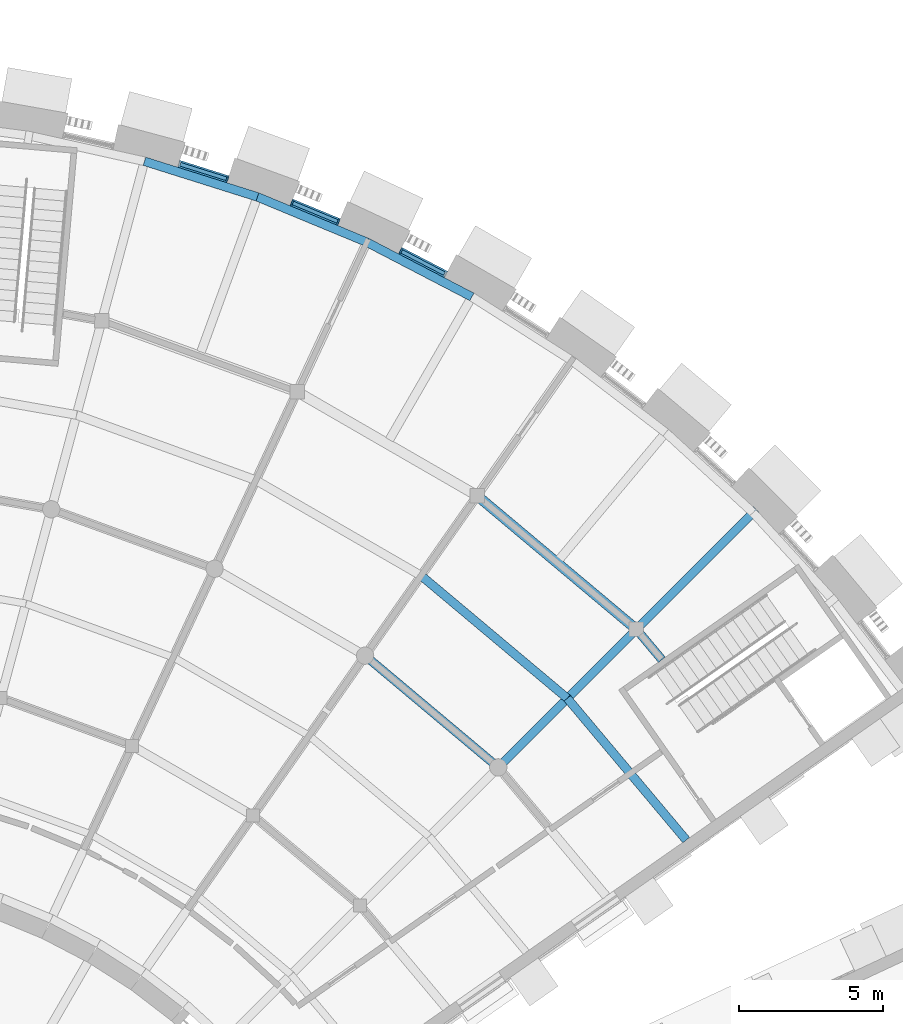
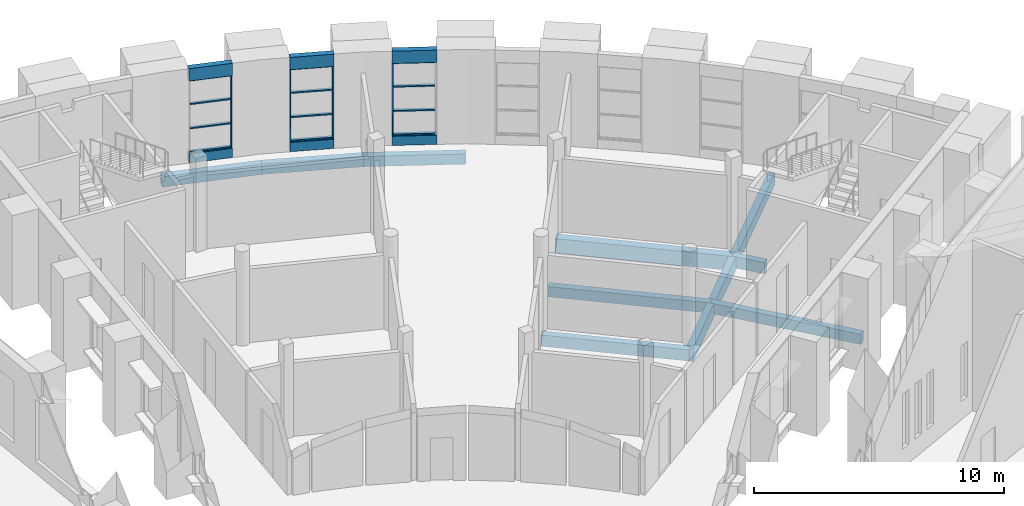
# One storey, part 14 of 50: 16 beams, 16 members, 3 elements without a shape of their own.
"""IFC4 building model written with IfcOpenShell, lengths in metres."""

from ifc_helpers import new_model, si_unit, direction, frame, origin, origin_2d, place, context, subcontext, project, spatial, rectangle, extrude, material, layer, layer_set, material_profile, profile_set, type_object, element, aggregate, save


model = new_model("IFC4")

# Units and contexts
model_context = context("Model", 3, precision=1e-05, world=origin(), true_north=direction((0.0, 1.0)))
body_context = subcontext(model_context, "Body", "Model", "MODEL_VIEW")
ifc_project = project(units=[si_unit("LENGTHUNIT", "METRE"), si_unit("AREAUNIT", "SQUARE_METRE"), si_unit("VOLUMEUNIT", "CUBIC_METRE"), si_unit("PLANEANGLEUNIT", "RADIAN"), si_unit("MASSUNIT", "GRAM", prefix="KILO")], contexts=[model_context])

# Site, building, storey
site_placement = place(None, origin())
site = spatial("IfcSite", under=ifc_project, at=site_placement, CompositionType="ELEMENT")
building_placement = place(site_placement, origin())
building = spatial("IfcBuilding", under=site, at=building_placement, Name="Volute Hill Aquarium", CompositionType="ELEMENT")
storey_placement = place(building_placement, frame((0.0, 0.0, 9.199951171875)))
storey = spatial("IfcBuildingStorey", under=building, at=storey_placement, Name="L03", CompositionType="ELEMENT", Elevation=9.199951171875)

# Beams
ifc_material_1 = material(Name="Concrete C35/45", Category="concrete")
ifc_material_profile_1 = material_profile(ifc_material_1, rectangle(XDim=0.300048828125, YDim=0.550048828125, at=origin_2d()), Name="RC beam 300x550")
ifc_profile_set_1 = profile_set([ifc_material_profile_1], Name="Concrete C35/45")
beam_type_1 = type_object("IfcBeamType", Name="Beam 300x550 C35/45", PredefinedType="BEAM", material=ifc_profile_set_1)
beam_1_placement = place(storey_placement, frame((29.194580078125, 29.194580078125, -0.56494140625), z_axis=(0.707106781187, 0.707106781187, 0.0), x_axis=(-0.707106781187, 0.707106781187, 0.0)))
element("IfcBeam", 1, at=beam_1_placement, inside=storey, type_object=beam_type_1, Name="bm/S5/L03/rad1.4", PredefinedType="BEAM", context=body_context, shape_type="SweptSolid", body=[
    extrude(rectangle(XDim=0.300048828125, YDim=0.550048828125, at=origin_2d()), origin(), (0.0, 0.0, 1.0), 5.862548828125),
])
beam_2_placement = place(storey_placement, frame((24.412841796875, 24.412841796875, -0.56494140625), z_axis=(-0.766038816654, 0.642794314986, 0.0), x_axis=(-0.642794314986, -0.766038816654, 0.0)))
element("IfcBeam", 2, at=beam_2_placement, inside=storey, type_object=beam_type_1, Name="bm/S5/L03/ring2.23", PredefinedType="BEAM", context=body_context, shape_type="SweptSolid", body=[
    extrude(rectangle(XDim=0.300048828125, YDim=0.550048828125, at=origin_2d()), origin(), (0.0, 0.0, 1.0), 6.01806640625),
])
beam_3_placement = place(storey_placement, frame((30.078369140625, 28.1416015625, -0.56494140625), z_axis=(-0.642887994538, 0.765960199017, 0.0), x_axis=(-0.765960199017, -0.642887994538, 0.0)))
element("IfcBeam", 3, at=beam_3_placement, inside=storey, type_object=beam_type_1, Name="bm/S5/L03/ring3.27", PredefinedType="BEAM", context=body_context, shape_type="SweptSolid", body=[
    extrude(rectangle(XDim=0.300048828125, YDim=0.550048828125, at=origin_2d()), origin(), (0.0, 0.0, 1.0), 1.374755859375),
])
ifc_material_2 = material(Name="Concrete C35/45", Category="concrete")
ifc_material_profile_2 = material_profile(ifc_material_2, rectangle(XDim=0.300048828125, YDim=0.64990234375, at=origin_2d()), Name="RC beam 300x650")
ifc_profile_set_2 = profile_set([ifc_material_profile_2], Name="Concrete C35/45")
beam_type_2 = type_object("IfcBeamType", Name="Beam 300x650 C35/45", PredefinedType="BEAM", material=ifc_profile_set_2)
beam_4_placement = place(storey_placement, frame((24.412841796875, 24.412841796875, -0.614990234375), z_axis=(0.707106781187, 0.707106781187, 0.0), x_axis=(-0.707106781187, 0.707106781187, 0.0)))
element("IfcBeam", 4, at=beam_4_placement, inside=storey, type_object=beam_type_2, Name="bm/S5/L03/rad1.3", PredefinedType="BEAM", context=body_context, shape_type="SweptSolid", body=[
    extrude(rectangle(XDim=0.300048828125, YDim=0.64990234375, at=origin_2d()), origin(), (0.0, 0.0, 1.0), 6.762451171875),
])
ifc_material_3 = material(Name="Concrete C35/45", Category="concrete")
ifc_material_profile_3 = material_profile(ifc_material_3, rectangle(XDim=0.35009765625, YDim=0.699951171875, at=origin_2d()), Name="RC beam 350x700")
ifc_profile_set_3 = profile_set([ifc_material_profile_3], Name="Concrete C35/45")
beam_type_3 = type_object("IfcBeamType", Name="Beam 350x700 C35/45", PredefinedType="BEAM", material=ifc_profile_set_3)
beam_5_placement = place(storey_placement, frame((29.194580078125, 29.194580078125, -0.639892578125), z_axis=(-0.766036890911, 0.64279660995, 0.0), x_axis=(-0.64279660995, -0.766036890911, 0.0)))
element("IfcBeam", 5, at=beam_5_placement, inside=storey, type_object=beam_type_3, Name="bm/S5/L03/ring3.28", PredefinedType="BEAM", context=body_context, shape_type="SweptSolid", body=[
    extrude(rectangle(XDim=0.35009765625, YDim=0.699951171875, at=origin_2d()), origin(), (0.0, 0.0, 1.0), 7.197021484375),
])

# Curtain wall, member
ifc_material_4 = material(Name="Aluminium", Category="aluminium")
ifc_layer = layer(ifc_material_4, 0.25)
ifc_layer_set = layer_set([ifc_layer], Name="Curtain wall niche S5 module 1786")
curtain_wall_type = type_object("IfcCurtainWallType", Name="Curtain wall niche S5 module 1786", PredefinedType="NOTDEFINED", material=ifc_layer_set)
curtain_wall_1_placement = place(storey_placement, origin())
curtain_wall_1 = element("IfcCurtainWall", 6, at=curtain_wall_1_placement, inside=storey, type_object=curtain_wall_type, Name="Curtain wall CW S5 L03 6", PredefinedType="NOTDEFINED")
ifc_material_5 = material(Name="Aluminium", Category="aluminium")
ifc_material_profile_4 = material_profile(ifc_material_5, rectangle(XDim=0.159912109375, YDim=0.06005859375, at=origin_2d()), Name="Curtain wall mullion S5 60x160")
ifc_profile_set_4 = profile_set([ifc_material_profile_4], Name="Aluminium")
member_type_1 = type_object("IfcMemberType", Name="Curtain wall mullion S5 60x160", PredefinedType="MULLION", material=ifc_profile_set_4)
member_1_placement = place(storey_placement, frame((21.04296875, 42.291748046875, 0.449951171875), z_axis=(0.0, 0.0, 1.0), x_axis=(-0.461755077763, -0.887007467928, 0.0)))
member_1 = element("IfcMember", 7, at=member_1_placement, type_object=member_type_1, Name="CW mullion 2", PredefinedType="MULLION", context=body_context, shape_type="SweptSolid", body=[
    extrude(rectangle(XDim=0.159912109375, YDim=0.06005859375, at=origin_2d()), origin(), (0.0, 0.0, 1.0), 3.550048828125),
])

# Curtain wall, members
curtain_wall_2_placement = place(storey_placement, origin())
curtain_wall_2 = element("IfcCurtainWall", 8, at=curtain_wall_2_placement, inside=storey, type_object=curtain_wall_type, Name="Curtain wall CW S5 L03 7", PredefinedType="NOTDEFINED")
member_2_placement = place(storey_placement, frame((18.87109375, 43.304443359375, 0.449951171875), z_axis=(0.0, 0.0, 1.0), x_axis=(-0.382686313983, -0.923878338901, 0.0)))
member_2 = element("IfcMember", 9, at=member_2_placement, type_object=member_type_1, Name="CW mullion 1", PredefinedType="MULLION", context=body_context, shape_type="SweptSolid", body=[
    extrude(rectangle(XDim=0.159912109375, YDim=0.06005859375, at=origin_2d()), origin(), (0.0, 0.0, 1.0), 3.550048828125),
])
member_3_placement = place(storey_placement, frame((17.27685546875, 43.96484375, 0.449951171875), z_axis=(0.0, 0.0, 1.0), x_axis=(-0.382686313983, -0.923878338901, 0.0)))
member_3 = element("IfcMember", 10, at=member_3_placement, type_object=member_type_1, Name="CW mullion 2", PredefinedType="MULLION", context=body_context, shape_type="SweptSolid", body=[
    extrude(rectangle(XDim=0.159912109375, YDim=0.06005859375, at=origin_2d()), origin(), (0.0, 0.0, 1.0), 3.550048828125),
])

# Curtain wall, member
curtain_wall_3_placement = place(storey_placement, origin())
curtain_wall_3 = element("IfcCurtainWall", 11, at=curtain_wall_3_placement, inside=storey, type_object=curtain_wall_type, Name="Curtain wall CW S5 L03 8", PredefinedType="NOTDEFINED")
member_4_placement = place(storey_placement, frame((15.025146484375, 44.784423828125, 0.449951171875), z_axis=(0.0, 0.0, 1.0), x_axis=(-0.300703569139, -0.953717653977, 0.0)))
member_4 = element("IfcMember", 12, at=member_4_placement, type_object=member_type_1, Name="CW mullion 1", PredefinedType="MULLION", context=body_context, shape_type="SweptSolid", body=[
    extrude(rectangle(XDim=0.159912109375, YDim=0.06005859375, at=origin_2d()), origin(), (0.0, 0.0, 1.0), 3.550048828125),
])

# Member
ifc_material_6 = material(Name="Aluminium", Category="aluminium")
ifc_material_profile_5 = material_profile(ifc_material_6, rectangle(XDim=0.1298828125, YDim=0.06005859375, at=origin_2d()), Name="Curtain wall transom S5 60x130")
ifc_profile_set_5 = profile_set([ifc_material_profile_5], Name="Aluminium")
member_type_2 = type_object("IfcMemberType", Name="Curtain wall transom S5 60x130", PredefinedType="USERDEFINED", material=ifc_profile_set_5)
member_5_placement = place(storey_placement, frame((22.546875, 41.5087890625, 0.47998046875), z_axis=(-0.887007904622, 0.461754238896, 0.0), x_axis=(-0.461754238896, -0.887007904622, 0.0)))
member_5 = element("IfcMember", 13, at=member_5_placement, type_object=member_type_2, Name="CW transom 1.1", ObjectType="TRANSOM", PredefinedType="USERDEFINED", context=body_context, shape_type="SweptSolid", body=[
    extrude(rectangle(XDim=0.1298828125, YDim=0.06005859375, at=origin_2d()), origin(), (0.0, 0.0, 1.0), 1.66552734375),
])

member_6_placement = place(storey_placement, frame((22.546875, 41.5087890625, 1.63330078125), z_axis=(-0.887007904622, 0.461754238896, 0.0), x_axis=(-0.461754238896, -0.887007904622, 0.0)))
member_6 = element("IfcMember", 14, at=member_6_placement, type_object=member_type_2, Name="CW transom 1.2", ObjectType="TRANSOM", PredefinedType="USERDEFINED", context=body_context, shape_type="SweptSolid", body=[
    extrude(rectangle(XDim=0.1298828125, YDim=0.06005859375, at=origin_2d()), origin(), (0.0, 0.0, 1.0), 1.66552734375),
])

member_7_placement = place(storey_placement, frame((22.546875, 41.5087890625, 2.816650390625), z_axis=(-0.887007904622, 0.461754238896, 0.0), x_axis=(-0.461754238896, -0.887007904622, 0.0)))
member_7 = element("IfcMember", 15, at=member_7_placement, type_object=member_type_2, Name="CW transom 1.3", ObjectType="TRANSOM", PredefinedType="USERDEFINED", context=body_context, shape_type="SweptSolid", body=[
    extrude(rectangle(XDim=0.1298828125, YDim=0.06005859375, at=origin_2d()), origin(), (0.0, 0.0, 1.0), 1.66552734375),
])

member_8_placement = place(storey_placement, frame((22.546875, 41.5087890625, 3.969970703125), z_axis=(-0.887007904622, 0.461754238896, 0.0), x_axis=(-0.461754238896, -0.887007904622, 0.0)))
member_8 = element("IfcMember", 16, at=member_8_placement, type_object=member_type_2, Name="CW transom 1.4", ObjectType="TRANSOM", PredefinedType="USERDEFINED", context=body_context, shape_type="SweptSolid", body=[
    extrude(rectangle(XDim=0.1298828125, YDim=0.06005859375, at=origin_2d()), origin(), (0.0, 0.0, 1.0), 1.66552734375),
])

aggregate(curtain_wall_1, [member_1, member_5, member_6, member_7, member_8])

member_9_placement = place(storey_placement, frame((18.843505859375, 43.31591796875, 0.47998046875), z_axis=(-0.923868550107, 0.382709945158, 0.0), x_axis=(-0.382709945158, -0.923868550107, 0.0)))
member_9 = element("IfcMember", 17, at=member_9_placement, type_object=member_type_2, Name="CW transom 1.1", ObjectType="TRANSOM", PredefinedType="USERDEFINED", context=body_context, shape_type="SweptSolid", body=[
    extrude(rectangle(XDim=0.1298828125, YDim=0.06005859375, at=origin_2d()), origin(), (0.0, 0.0, 1.0), 1.66552734375),
])

member_10_placement = place(storey_placement, frame((18.843505859375, 43.31591796875, 1.63330078125), z_axis=(-0.923868550107, 0.382709945158, 0.0), x_axis=(-0.382709945158, -0.923868550107, 0.0)))
member_10 = element("IfcMember", 18, at=member_10_placement, type_object=member_type_2, Name="CW transom 1.2", ObjectType="TRANSOM", PredefinedType="USERDEFINED", context=body_context, shape_type="SweptSolid", body=[
    extrude(rectangle(XDim=0.1298828125, YDim=0.06005859375, at=origin_2d()), origin(), (0.0, 0.0, 1.0), 1.66552734375),
])

member_11_placement = place(storey_placement, frame((18.843505859375, 43.31591796875, 2.816650390625), z_axis=(-0.923868550107, 0.382709945158, 0.0), x_axis=(-0.382709945158, -0.923868550107, 0.0)))
member_11 = element("IfcMember", 19, at=member_11_placement, type_object=member_type_2, Name="CW transom 1.3", ObjectType="TRANSOM", PredefinedType="USERDEFINED", context=body_context, shape_type="SweptSolid", body=[
    extrude(rectangle(XDim=0.1298828125, YDim=0.06005859375, at=origin_2d()), origin(), (0.0, 0.0, 1.0), 1.66552734375),
])

member_12_placement = place(storey_placement, frame((18.843505859375, 43.31591796875, 3.969970703125), z_axis=(-0.923868550107, 0.382709945158, 0.0), x_axis=(-0.382709945158, -0.923868550107, 0.0)))
member_12 = element("IfcMember", 20, at=member_12_placement, type_object=member_type_2, Name="CW transom 1.4", ObjectType="TRANSOM", PredefinedType="USERDEFINED", context=body_context, shape_type="SweptSolid", body=[
    extrude(rectangle(XDim=0.1298828125, YDim=0.06005859375, at=origin_2d()), origin(), (0.0, 0.0, 1.0), 1.66552734375),
])

aggregate(curtain_wall_2, [member_2, member_3, member_9, member_10, member_11, member_12])

member_13_placement = place(storey_placement, frame((14.99658203125, 44.79345703125, 0.47998046875), z_axis=(-0.953744236838, 0.30061924539, 0.0), x_axis=(-0.30061924539, -0.953744236838, 0.0)))
member_13 = element("IfcMember", 21, at=member_13_placement, type_object=member_type_2, Name="CW transom 1.1", ObjectType="TRANSOM", PredefinedType="USERDEFINED", context=body_context, shape_type="SweptSolid", body=[
    extrude(rectangle(XDim=0.1298828125, YDim=0.06005859375, at=origin_2d()), origin(), (0.0, 0.0, 1.0), 1.665771484375),
])

member_14_placement = place(storey_placement, frame((14.99658203125, 44.79345703125, 1.63330078125), z_axis=(-0.953744236838, 0.30061924539, 0.0), x_axis=(-0.30061924539, -0.953744236838, 0.0)))
member_14 = element("IfcMember", 22, at=member_14_placement, type_object=member_type_2, Name="CW transom 1.2", ObjectType="TRANSOM", PredefinedType="USERDEFINED", context=body_context, shape_type="SweptSolid", body=[
    extrude(rectangle(XDim=0.1298828125, YDim=0.06005859375, at=origin_2d()), origin(), (0.0, 0.0, 1.0), 1.665771484375),
])

member_15_placement = place(storey_placement, frame((14.99658203125, 44.79345703125, 2.816650390625), z_axis=(-0.953744236838, 0.30061924539, 0.0), x_axis=(-0.30061924539, -0.953744236838, 0.0)))
member_15 = element("IfcMember", 23, at=member_15_placement, type_object=member_type_2, Name="CW transom 1.3", ObjectType="TRANSOM", PredefinedType="USERDEFINED", context=body_context, shape_type="SweptSolid", body=[
    extrude(rectangle(XDim=0.1298828125, YDim=0.06005859375, at=origin_2d()), origin(), (0.0, 0.0, 1.0), 1.665771484375),
])

member_16_placement = place(storey_placement, frame((14.99658203125, 44.79345703125, 3.969970703125), z_axis=(-0.953744236838, 0.30061924539, 0.0), x_axis=(-0.30061924539, -0.953744236838, 0.0)))
member_16 = element("IfcMember", 24, at=member_16_placement, type_object=member_type_2, Name="CW transom 1.4", ObjectType="TRANSOM", PredefinedType="USERDEFINED", context=body_context, shape_type="SweptSolid", body=[
    extrude(rectangle(XDim=0.1298828125, YDim=0.06005859375, at=origin_2d()), origin(), (0.0, 0.0, 1.0), 1.665771484375),
])

aggregate(curtain_wall_3, [member_4, member_13, member_14, member_15, member_16])

# Beams
ifc_material_7 = material(Name="Concrete C35/45", Category="concrete")
ifc_material_profile_6 = material_profile(ifc_material_7, rectangle(XDim=0.300048828125, YDim=0.5, at=origin_2d()), Name="RC edge beam 300x500")
ifc_profile_set_6 = profile_set([ifc_material_profile_6], Name="Concrete C35/45")
beam_type_4 = type_object("IfcBeamType", Name="Edge beam 300x500 C35/45", PredefinedType="BEAM", material=ifc_profile_set_6)
for number, where, z_axis, x_axis, name in (
    (25, (23.5, 40.703125, -0.5400390625), (-0.887032472898, 0.461707041341, 0.0), (-0.461707041341, -0.887032472898, 0.0), "bm/S5/L03/edgeO.47"),
    (26, (19.863037109375, 42.59619140625, -0.5400390625), (-0.923878219582, 0.38268660204, 0.0), (-0.38268660204, -0.923878219582, 0.0), "bm/S5/L03/edgeO.48"),
):
    element("IfcBeam", number, at=place(storey_placement, frame(where, z_axis=z_axis, x_axis=x_axis)), inside=storey, type_object=beam_type_4, Name=name, PredefinedType="BEAM", context=body_context, shape_type="SweptSolid", body=[
        extrude(rectangle(XDim=0.300048828125, YDim=0.5, at=origin_2d()), origin(), (0.0, 0.0, 1.0), 4.10009765625),
    ])
beam_6_placement = place(storey_placement, frame((16.074951171875, 44.165283203125, -0.5400390625), z_axis=(-0.953702276001, 0.300752337896, 0.0), x_axis=(-0.300752337896, -0.953702276001, 0.0)))
element("IfcBeam", 27, at=beam_6_placement, inside=storey, type_object=beam_type_4, Name="bm/S5/L03/edgeO.49", PredefinedType="BEAM", context=body_context, shape_type="SweptSolid", body=[
    extrude(rectangle(XDim=0.300048828125, YDim=0.5, at=origin_2d()), origin(), (0.0, 0.0, 1.0), 4.100341796875),
])
ifc_material_8 = material(Name="Concrete C35/45", Category="concrete")
ifc_material_profile_7 = material_profile(ifc_material_8, rectangle(XDim=0.300048828125, YDim=0.5, at=origin_2d()), Name="RC joist 300x500")
ifc_profile_set_7 = profile_set([ifc_material_profile_7], Name="Concrete C35/45")
beam_type_5 = type_object("IfcBeamType", Name="Joist 300x500 C35/45", PredefinedType="BEAM", material=ifc_profile_set_7)
beam_7_placement = place(storey_placement, frame((30.921875, 21.89599609375, -0.5400390625), z_axis=(-0.642796984266, 0.766036576815, 0.0), x_axis=(-0.766036576815, -0.642796984266, 0.0)))
element("IfcBeam", 28, at=beam_7_placement, inside=storey, type_object=beam_type_5, Name="bm/S5/L03/jst11", PredefinedType="BEAM", context=body_context, shape_type="SweptSolid", body=[
    extrude(rectangle(XDim=0.300048828125, YDim=0.5, at=origin_2d()), origin(), (0.0, 0.0, 1.0), 6.40673828125),
])
beam_8_placement = place(storey_placement, frame((26.8037109375, 26.8037109375, -0.5400390625), z_axis=(-0.766030134391, 0.642804661779, 0.0), x_axis=(-0.642804661779, -0.766030134391, 0.0)))
element("IfcBeam", 29, at=beam_8_placement, inside=storey, type_object=beam_type_5, Name="bm/S5/L03/jst12", PredefinedType="BEAM", context=body_context, shape_type="SweptSolid", body=[
    extrude(rectangle(XDim=0.300048828125, YDim=0.5, at=origin_2d()), origin(), (0.0, 0.0, 1.0), 6.607421875),
])
ifc_material_9 = material(Name="Concrete C35/45", Category="concrete")
ifc_material_profile_8 = material_profile(ifc_material_9, rectangle(XDim=0.25, YDim=0.60009765625, at=origin_2d()), Name="RC beam 250x600")
ifc_profile_set_8 = profile_set([ifc_material_profile_8], Name="Concrete C35/45")
beam_type_6 = type_object("IfcBeamType", Name="Niche head beam RC 250x600 C35/45", PredefinedType="BEAM", material=ifc_profile_set_8)
beam_9_placement = place(storey_placement, frame((22.60009765625, 41.48095703125, 4.300048828125), z_axis=(-0.887006266415, 0.4617573858, 0.0), x_axis=(-0.4617573858, -0.887006266415, 0.0)))
element("IfcBeam", 30, at=beam_9_placement, inside=storey, type_object=beam_type_6, Name="Niche head beam OWB S5 L03 6", PredefinedType="BEAM", context=body_context, shape_type="SweptSolid", body=[
    extrude(rectangle(XDim=0.25, YDim=0.60009765625, at=origin_2d()), origin(), (0.0, 0.0, 1.0), 1.785400390625),
])
beam_10_placement = place(storey_placement, frame((18.89892578125, 43.29296875, 4.300048828125), z_axis=(-0.923891869651, 0.382653646516, 0.0), x_axis=(-0.382653646516, -0.923891869651, 0.0)))
element("IfcBeam", 31, at=beam_10_placement, inside=storey, type_object=beam_type_6, Name="Niche head beam OWB S5 L03 7", PredefinedType="BEAM", context=body_context, shape_type="SweptSolid", body=[
    extrude(rectangle(XDim=0.25, YDim=0.60009765625, at=origin_2d()), origin(), (0.0, 0.0, 1.0), 1.785888671875),
])
beam_11_placement = place(storey_placement, frame((15.0537109375, 44.775390625, 4.300048828125), z_axis=(-0.95372514816, 0.300679799399, 0.0), x_axis=(-0.300679799399, -0.95372514816, 0.0)))
element("IfcBeam", 32, at=beam_11_placement, inside=storey, type_object=beam_type_6, Name="Niche head beam OWB S5 L03 8", PredefinedType="BEAM", context=body_context, shape_type="SweptSolid", body=[
    extrude(rectangle(XDim=0.25, YDim=0.60009765625, at=origin_2d()), origin(), (0.0, 0.0, 1.0), 1.785400390625),
])
ifc_material_10 = material(Name="Concrete C35/45", Category="concrete")
ifc_material_profile_9 = material_profile(ifc_material_10, rectangle(XDim=0.25, YDim=0.449951171875, at=origin_2d()), Name="RC beam 250x450")
ifc_profile_set_9 = profile_set([ifc_material_profile_9], Name="Concrete C35/45")
beam_type_7 = type_object("IfcBeamType", Name="Niche sill beam RC 250x450 C35/45", PredefinedType="BEAM", material=ifc_profile_set_9)
beam_12_placement = place(storey_placement, frame((22.60009765625, 41.48095703125, 0.22509765625), z_axis=(-0.887006266415, 0.4617573858, 0.0), x_axis=(-0.4617573858, -0.887006266415, 0.0)))
element("IfcBeam", 33, at=beam_12_placement, inside=storey, type_object=beam_type_7, Name="Niche sill beam OWB S5 L03 6", PredefinedType="BEAM", context=body_context, shape_type="SweptSolid", body=[
    extrude(rectangle(XDim=0.25, YDim=0.449951171875, at=origin_2d()), origin(), (0.0, 0.0, 1.0), 1.785400390625),
])
beam_13_placement = place(storey_placement, frame((18.89892578125, 43.29296875, 0.22509765625), z_axis=(-0.923891869651, 0.382653646516, 0.0), x_axis=(-0.382653646516, -0.923891869651, 0.0)))
element("IfcBeam", 34, at=beam_13_placement, inside=storey, type_object=beam_type_7, Name="Niche sill beam OWB S5 L03 7", PredefinedType="BEAM", context=body_context, shape_type="SweptSolid", body=[
    extrude(rectangle(XDim=0.25, YDim=0.449951171875, at=origin_2d()), origin(), (0.0, 0.0, 1.0), 1.785888671875),
])
beam_14_placement = place(storey_placement, frame((15.0537109375, 44.775390625, 0.22509765625), z_axis=(-0.95372514816, 0.300679799399, 0.0), x_axis=(-0.300679799399, -0.95372514816, 0.0)))
element("IfcBeam", 35, at=beam_14_placement, inside=storey, type_object=beam_type_7, Name="Niche sill beam OWB S5 L03 8", PredefinedType="BEAM", context=body_context, shape_type="SweptSolid", body=[
    extrude(rectangle(XDim=0.25, YDim=0.449951171875, at=origin_2d()), origin(), (0.0, 0.0, 1.0), 1.785400390625),
])

save(model, "model.ifc")
